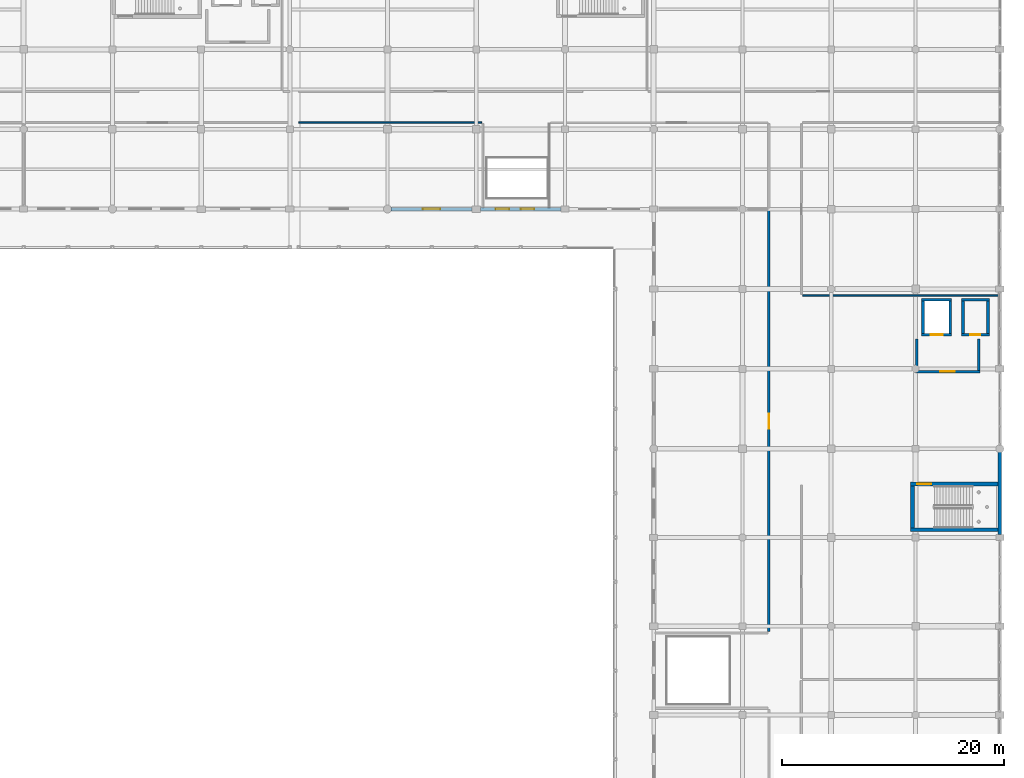
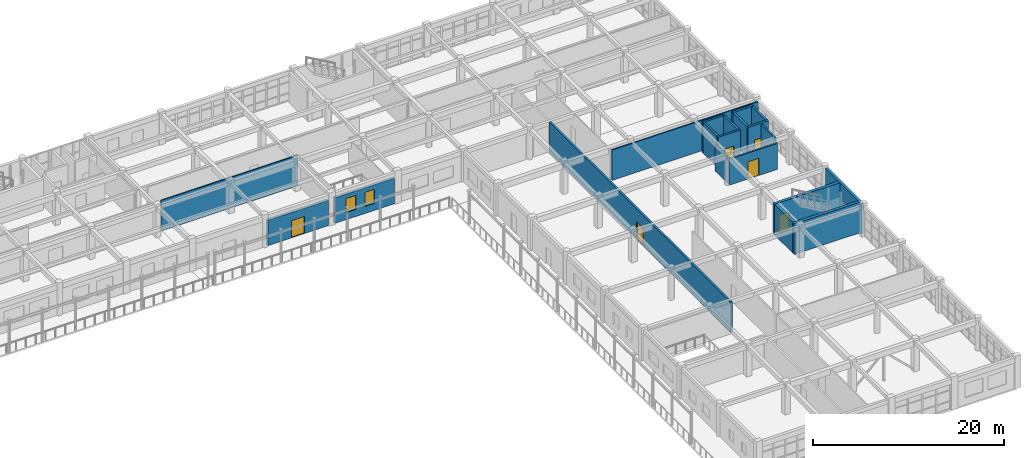
# One storey, part 174 of 195: 20 walls, 6 doors, 2 windows, 8 openings.
"""IFC4 building model written with IfcOpenShell, lengths in metres."""

from ifc_helpers import new_model, si_unit, direction, frame, frame_2d, origin, place, context, subcontext, project, spatial, rectangle, extrude, material, layer, layer_set, type_object, element, fill, save


model = new_model("IFC4")

# Units and contexts
model_context = context("Model", 3, precision=1e-05, world=origin(), true_north=direction((0.0, 1.0)))
body_context = subcontext(model_context, "Body", "Model", "MODEL_VIEW")
ifc_project = project(units=[si_unit("LENGTHUNIT", "METRE"), si_unit("AREAUNIT", "SQUARE_METRE"), si_unit("VOLUMEUNIT", "CUBIC_METRE"), si_unit("PLANEANGLEUNIT", "RADIAN"), si_unit("MASSUNIT", "GRAM", prefix="KILO")], contexts=[model_context])

# Site, building, storey
site_placement = place(None, origin())
site = spatial("IfcSite", under=ifc_project, at=site_placement, CompositionType="ELEMENT")
building_placement = place(site_placement, origin())
building = spatial("IfcBuilding", under=site, at=building_placement, Name="Kharva Crest Polytechnic", CompositionType="ELEMENT")
storey_placement = place(building_placement, frame((0.0, 0.0, 9.0)))
storey = spatial("IfcBuildingStorey", under=building, at=storey_placement, Name="L02", CompositionType="ELEMENT", Elevation=9.0)

# Wall
ifc_material_1 = material(Name="Concrete C40/50", Category="concrete")
ifc_layer_1 = layer(ifc_material_1, 0.35009765625, Name="Concrete C40/50")
ifc_layer_set_1 = layer_set([ifc_layer_1], Name="Concrete C40/50")
wall_type_1 = type_object("IfcWallType", Name="WL-CORE-CW1-350", PredefinedType="SHEAR", material=ifc_layer_set_1)
wall_1_placement = place(storey_placement, frame((175.949951171875, 71.4951171875, 0.0), z_axis=(0.0, 0.0, 1.0), x_axis=(1.0, 0.0, 0.0)))
element("IfcWall", 1, at=wall_1_placement, inside=storey, type_object=wall_type_1, Name="L02 East Crest Firefighting Core C5 South Shear Wall", PredefinedType="SHEAR", context=body_context, shape_type="SweptSolid", body=[
    extrude(rectangle(XDim=8.10009765625, YDim=0.35009765625, at=frame_2d((4.050048828125, 0.0))), origin(), (0.0, 0.0, 1.0), 3.919921875),
])

# Wall, opening, door
wall_2_placement = place(storey_placement, frame((175.949951171875, 75.60498046875, 0.0), z_axis=(0.0, 0.0, 1.0), x_axis=(1.0, 0.0, 0.0)))
wall_2 = element("IfcWall", 2, at=wall_2_placement, inside=storey, type_object=wall_type_1, Name="L02 East Crest Firefighting Core C5 North Shear Wall", PredefinedType="SHEAR", context=body_context, shape_type="SweptSolid", body=[
    extrude(rectangle(XDim=8.10009765625, YDim=0.35009765625, at=frame_2d((4.050048828125, 0.0))), origin(), (0.0, 0.0, 1.0), 3.919921875),
])
opening_1_placement = place(wall_2_placement, frame((0.60009765625, 0.0, 0.0)))
opening_1 = element("IfcOpeningElement", 3, at=opening_1_placement, cuts=wall_2, Name="Opening FD1B", PredefinedType="OPENING", context=body_context, shape_type="SweptSolid", body=[
    extrude(rectangle(XDim=1.25, YDim=2.199951171875, at=frame_2d((0.625, 1.10009765625))), frame((0.0, 0.18505859375, 0.0), z_axis=(0.0, -1.0, 0.0), x_axis=(1.0, 0.0, 0.0)), (0.0, 0.0, 1.0), 0.3701171875),
])
ifc_material_2 = material(Name="Teak timber", Category="wood")
door_type_1 = type_object("IfcDoorType", Name="DR-STAIR-1250X2200", OperationType="NOTDEFINED", PredefinedType="DOOR", material=ifc_material_2)
door_1_placement = place(opening_1_placement, origin())
door_1 = element("IfcDoor", 4, at=door_1_placement, inside=storey, type_object=door_type_1, Name="L02 ST-05 Stair Door", OperationType="SINGLE_SWING_RIGHT", OverallHeight=2.199951171875, OverallWidth=1.25, PredefinedType="DOOR", context=body_context, shape_type="SweptSolid", body=[
    extrude(rectangle(XDim=1.25, YDim=2.199951171875, at=frame_2d((0.625, 1.10009765625))), frame((0.0, 0.02490234375, 0.0), z_axis=(0.0, -1.0, 0.0), x_axis=(1.0, 0.0, 0.0)), (0.0, 0.0, 1.0), 0.050048828125),
])
fill(opening_1, door_1)

# Wall
wall_3_placement = place(storey_placement, frame((176.125, 71.669921875, 0.0), z_axis=(0.0, 0.0, 1.0), x_axis=(0.0, 1.0, 0.0)))
element("IfcWall", 5, at=wall_3_placement, inside=storey, type_object=wall_type_1, Name="L02 East Crest Firefighting Core C5 West Shear Wall", PredefinedType="SHEAR", context=body_context, shape_type="SweptSolid", body=[
    extrude(rectangle(XDim=3.760009765625, YDim=0.35009765625, at=frame_2d((1.8798828125, 0.0))), origin(), (0.0, 0.0, 1.0), 3.919921875),
])

# Wall, openings, windows
ifc_material_3 = material(Name="Kiln brick masonry", Category="masonry")
ifc_layer_2 = layer(ifc_material_3, 0.320068359375, Name="Kiln brick masonry")
ifc_layer_set_2 = layer_set([ifc_layer_2], Name="Kiln brick masonry")
wall_type_2 = type_object("IfcWallType", Name="WL-EXT-BRK-320", PredefinedType="SOLIDWALL", material=ifc_layer_set_2)
wall_4_placement = place(storey_placement, frame((137.169921875, 100.39990234375, 0.0), z_axis=(0.0, 0.0, 1.0), x_axis=(1.0, 0.0, 0.0)))
wall_4 = element("IfcWall", 6, at=wall_4_placement, inside=storey, type_object=wall_type_2, Name="L02 Exterior Brick Wall 274", PredefinedType="SOLIDWALL", context=body_context, shape_type="SweptSolid", body=[
    extrude(rectangle(XDim=7.260009765625, YDim=0.320068359375, at=frame_2d((3.6298828125, 0.0))), origin(), (0.0, 0.0, 1.0), 3.27001953125),
])
opening_2_placement = place(wall_4_placement, frame((1.383056640625, 0.0, 0.89990234375)))
opening_2 = element("IfcOpeningElement", 7, at=opening_2_placement, cuts=wall_4, Name="Opening W08", PredefinedType="OPENING", context=body_context, shape_type="SweptSolid", body=[
    extrude(rectangle(XDim=1.199951171875, YDim=1.800048828125, at=frame_2d((0.60009765625, 0.89990234375))), frame((0.0, 0.169921875, 0.0), z_axis=(0.0, -1.0, 0.0), x_axis=(1.0, 0.0, 0.0)), (0.0, 0.0, 1.0), 0.340087890625),
])
opening_3_placement = place(wall_4_placement, frame((3.64697265625, 0.0, 0.89990234375)))
opening_3 = element("IfcOpeningElement", 8, at=opening_3_placement, cuts=wall_4, Name="Opening W08", PredefinedType="OPENING", context=body_context, shape_type="SweptSolid", body=[
    extrude(rectangle(XDim=1.199951171875, YDim=1.800048828125, at=frame_2d((0.60009765625, 0.89990234375))), frame((0.0, 0.169921875, 0.0), z_axis=(0.0, -1.0, 0.0), x_axis=(1.0, 0.0, 0.0)), (0.0, 0.0, 1.0), 0.340087890625),
])
ifc_material_4 = material(Name="Anodised aluminium", Category="aluminium")
window_type = type_object("IfcWindowType", Name="WIN-ALU-1200X1800", PartitioningType="SINGLE_PANEL", PredefinedType="WINDOW", material=ifc_material_4)
window_1_placement = place(opening_2_placement, origin())
window_1 = element("IfcWindow", 9, at=window_1_placement, inside=storey, type_object=window_type, Name="L02 Exterior Window 365", OverallHeight=1.800048828125, OverallWidth=1.199951171875, PartitioningType="SINGLE_PANEL", PredefinedType="WINDOW", context=body_context, shape_type="SweptSolid", body=[
    extrude(rectangle(XDim=1.199951171875, YDim=1.800048828125, at=frame_2d((0.60009765625, 0.89990234375))), frame((0.0, 0.030029296875, 0.0), z_axis=(0.0, -1.0, 0.0), x_axis=(1.0, 0.0, 0.0)), (0.0, 0.0, 1.0), 0.06005859375),
])
fill(opening_2, window_1)
window_2_placement = place(opening_3_placement, origin())
window_2 = element("IfcWindow", 10, at=window_2_placement, inside=storey, type_object=window_type, Name="L02 Exterior Window 366", OverallHeight=1.800048828125, OverallWidth=1.199951171875, PartitioningType="SINGLE_PANEL", PredefinedType="WINDOW", context=body_context, shape_type="SweptSolid", body=[
    extrude(rectangle(XDim=1.199951171875, YDim=1.800048828125, at=frame_2d((0.60009765625, 0.89990234375))), frame((0.0, 0.030029296875, 0.0), z_axis=(0.0, -1.0, 0.0), x_axis=(1.0, 0.0, 0.0)), (0.0, 0.0, 1.0), 0.06005859375),
])
fill(opening_3, window_2)

# Wall
wall_5_placement = place(storey_placement, frame((184.0, 71.070068359375, 0.0), z_axis=(0.0, 0.0, 1.0), x_axis=(0.0, 1.0, 0.0)))
element("IfcWall", 11, at=wall_5_placement, inside=storey, type_object=wall_type_2, Name="L02 Exterior Brick Wall 286", PredefinedType="SOLIDWALL", context=body_context, shape_type="SweptSolid", body=[
    extrude(rectangle(XDim=7.427490234375, YDim=0.320068359375, at=frame_2d((3.7138671875, 0.0))), origin(), (0.0, 0.0, 1.0), 3.919921875),
])

# Wall, opening, door
ifc_layer_3 = layer(ifc_material_3, 0.3349609375, Name="Kiln brick masonry")
ifc_layer_set_3 = layer_set([ifc_layer_3], Name="Kiln brick masonry")
wall_type_3 = type_object("IfcWallType", Name="WL-EXT-BRK-335", PredefinedType="SOLIDWALL", material=ifc_layer_set_3)
wall_6_placement = place(storey_placement, frame((129.102294921875, 100.39990234375, 0.0), z_axis=(0.0, 0.0, 1.0), x_axis=(1.0, 0.0, 0.0)))
wall_6 = element("IfcWall", 12, at=wall_6_placement, inside=storey, type_object=wall_type_3, Name="L02 Exterior Brick Wall 273", PredefinedType="SOLIDWALL", context=body_context, shape_type="SweptSolid", body=[
    extrude(rectangle(XDim=7.32763671875, YDim=0.3349609375, at=frame_2d((3.663818359375, 0.0))), origin(), (0.0, 0.0, 1.0), 3.239990234375),
])
opening_4_placement = place(wall_6_placement, frame((2.888916015625, 0.0, 0.0)))
opening_4 = element("IfcOpeningElement", 13, at=opening_4_placement, cuts=wall_6, Name="Opening ED8", PredefinedType="OPENING", context=body_context, shape_type="SweptSolid", body=[
    extrude(rectangle(XDim=1.550048828125, YDim=2.199951171875, at=frame_2d((0.77490234375, 1.10009765625))), frame((0.0, 0.177490234375, 0.0), z_axis=(0.0, -1.0, 0.0), x_axis=(1.0, 0.0, 0.0)), (0.0, 0.0, 1.0), 0.35498046875),
])
door_type_2 = type_object("IfcDoorType", Name="DR-EXT-TER-1550X2200", OperationType="NOTDEFINED", PredefinedType="DOOR", material=ifc_material_4)
door_2_placement = place(opening_4_placement, frame((1.550048828125, 0.0, 0.0), z_axis=(0.0, 0.0, 1.0), x_axis=(-1.0, 0.0, 0.0)))
door_2 = element("IfcDoor", 14, at=door_2_placement, inside=storey, type_object=door_type_2, Name="L02 VER_N_L02 Access Door 49", OperationType="DOUBLE_DOOR_SINGLE_SWING", OverallHeight=2.199951171875, OverallWidth=1.550048828125, PredefinedType="DOOR", context=body_context, shape_type="SweptSolid", body=[
    extrude(rectangle(XDim=1.550048828125, YDim=2.199951171875, at=frame_2d((0.77490234375, 1.10009765625))), frame((0.0, 0.02490234375, 0.0), z_axis=(0.0, -1.0, 0.0), x_axis=(1.0, 0.0, 0.0)), (0.0, 0.0, 1.0), 0.050048828125),
])
fill(opening_4, door_2)

ifc_layer_4 = layer(ifc_material_3, 0.199951171875, Name="Kiln brick masonry")
ifc_layer_set_4 = layer_set([ifc_layer_4], Name="Kiln brick masonry")
wall_type_4 = type_object("IfcWallType", Name="WL-FIRE-FW1-200", PredefinedType="SOLIDWALL", material=ifc_layer_set_4)
wall_7_placement = place(storey_placement, frame((176.39990234375, 85.75, 0.0), z_axis=(0.0, 0.0, 1.0), x_axis=(1.0, 0.0, 0.0)))
wall_7 = element("IfcWall", 15, at=wall_7_placement, inside=storey, type_object=wall_type_4, Name="L02 Firefighting Lobby FL2 South Wall", PredefinedType="SOLIDWALL", context=body_context, shape_type="SweptSolid", body=[
    extrude(rectangle(XDim=5.800048828125, YDim=0.199951171875, at=frame_2d((2.89990234375, 0.0))), origin(), (0.0, 0.0, 1.0), 3.320068359375),
])
opening_5_placement = place(wall_7_placement, frame((2.25, 0.0, 0.0)))
opening_5 = element("IfcOpeningElement", 16, at=opening_5_placement, cuts=wall_7, Name="Opening FD2", PredefinedType="OPENING", context=body_context, shape_type="SweptSolid", body=[
    extrude(rectangle(XDim=1.300048828125, YDim=2.199951171875, at=frame_2d((0.64990234375, 1.10009765625))), frame((0.0, 0.10986328125, 0.0), z_axis=(0.0, -1.0, 0.0), x_axis=(1.0, 0.0, 0.0)), (0.0, 0.0, 1.0), 0.219970703125),
])
door_type_3 = type_object("IfcDoorType", Name="DR-FFLOB-1300X2200", OperationType="NOTDEFINED", PredefinedType="DOOR", material=ifc_material_2)
door_3_placement = place(opening_5_placement, origin())
door_3 = element("IfcDoor", 17, at=door_3_placement, inside=storey, type_object=door_type_3, Name="L02 Firefighting Lobby FL2 Smoke Door", OperationType="SINGLE_SWING_LEFT", OverallHeight=2.199951171875, OverallWidth=1.300048828125, PredefinedType="DOOR", context=body_context, shape_type="SweptSolid", body=[
    extrude(rectangle(XDim=1.300048828125, YDim=2.199951171875, at=frame_2d((0.64990234375, 1.10009765625))), frame((0.0, 0.02490234375, 0.0), z_axis=(0.0, -1.0, 0.0), x_axis=(1.0, 0.0, 0.0)), (0.0, 0.0, 1.0), 0.050048828125),
])
fill(opening_5, door_3)

# Walls
wall_8_placement = place(storey_placement, frame((176.5, 85.85009765625, 0.0), z_axis=(0.0, 0.0, 1.0), x_axis=(0.0, 1.0, 0.0)))
element("IfcWall", 18, at=wall_8_placement, inside=storey, type_object=wall_type_4, Name="L02 Firefighting Lobby FL2 West Wall", PredefinedType="SOLIDWALL", context=body_context, shape_type="SweptSolid", body=[
    extrude(rectangle(XDim=2.849853515625, YDim=0.199951171875, at=frame_2d((1.4248046875, 0.0))), origin(), (0.0, 0.0, 1.0), 3.340087890625),
])
wall_9_placement = place(storey_placement, frame((182.10009765625, 85.85009765625, 0.0), z_axis=(0.0, 0.0, 1.0), x_axis=(0.0, 1.0, 0.0)))
element("IfcWall", 19, at=wall_9_placement, inside=storey, type_object=wall_type_4, Name="L02 Firefighting Lobby FL2 East Wall", PredefinedType="SOLIDWALL", context=body_context, shape_type="SweptSolid", body=[
    extrude(rectangle(XDim=2.849853515625, YDim=0.199951171875, at=frame_2d((1.4248046875, 0.0))), origin(), (0.0, 0.0, 1.0), 3.919921875),
])
ifc_layer_5 = layer(ifc_material_3, 0.139892578125, Name="Kiln brick masonry")
ifc_layer_set_5 = layer_set([ifc_layer_5], Name="Kiln brick masonry")
wall_type_5 = type_object("IfcWallType", Name="WL-PART-140", PredefinedType="PARTITIONING", material=ifc_layer_set_5)
wall_10_placement = place(storey_placement, frame((120.800048828125, 108.18994140625, 0.0), z_axis=(0.0, 0.0, 1.0), x_axis=(1.0, 0.0, 0.0)))
element("IfcWall", 20, at=wall_10_placement, inside=storey, type_object=wall_type_5, Name="L02 Interior Partition 244 E", PredefinedType="PARTITIONING", context=body_context, shape_type="SweptSolid", body=[
    extrude(rectangle(XDim=16.489990234375, YDim=0.139892578125, at=frame_2d((8.2451171875, 0.0))), origin(), (0.0, 0.0, 1.0), 3.89990234375),
])
wall_11_placement = place(storey_placement, frame((166.219970703125, 92.60009765625, 0.0), z_axis=(0.0, 0.0, 1.0), x_axis=(1.0, 0.0, 0.0)))
element("IfcWall", 21, at=wall_11_placement, inside=storey, type_object=wall_type_5, Name="L02 Interior Partition 264", PredefinedType="PARTITIONING", context=body_context, shape_type="SweptSolid", body=[
    extrude(rectangle(XDim=17.669921875, YDim=0.139892578125, at=frame_2d((8.8349609375, 0.0))), origin(), (0.0, 0.0, 1.0), 3.89990234375),
])

# Wall, opening, door
ifc_layer_6 = layer(ifc_material_3, 0.22509765625, Name="Kiln brick masonry")
ifc_layer_set_6 = layer_set([ifc_layer_6], Name="Kiln brick masonry")
wall_type_6 = type_object("IfcWallType", Name="WL-PART-225", PredefinedType="PARTITIONING", material=ifc_layer_set_6)
wall_12_placement = place(storey_placement, frame((163.18994140625, 62.31005859375, 0.0), z_axis=(0.0, 0.0, 1.0), x_axis=(0.0, 1.0, 0.0)))
wall_12 = element("IfcWall", 22, at=wall_12_placement, inside=storey, type_object=wall_type_6, Name="L02 Interior Partition 260", PredefinedType="PARTITIONING", context=body_context, shape_type="SweptSolid", body=[
    extrude(rectangle(XDim=37.969970703125, YDim=0.22509765625, at=frame_2d((18.98486328125, 0.0))), origin(), (0.0, 0.0, 1.0), 3.89990234375),
])
opening_6_placement = place(wall_12_placement, frame((18.31005859375, 0.0, 0.0)))
opening_6 = element("IfcOpeningElement", 23, at=opening_6_placement, cuts=wall_12, Name="Opening ID6", PredefinedType="OPENING", context=body_context, shape_type="SweptSolid", body=[
    extrude(rectangle(XDim=1.35009765625, YDim=2.199951171875, at=frame_2d((0.675048828125, 1.10009765625))), frame((0.0, 0.12255859375, 0.0), z_axis=(0.0, -1.0, 0.0), x_axis=(1.0, 0.0, 0.0)), (0.0, 0.0, 1.0), 0.2451171875),
])
door_type_4 = type_object("IfcDoorType", Name="DR-LAB-1350X2200", OperationType="NOTDEFINED", PredefinedType="DOOR", material=ifc_material_2)
door_4_placement = place(opening_6_placement, origin())
door_4 = element("IfcDoor", 24, at=door_4_placement, inside=storey, type_object=door_type_4, Name="L02 Aerodynamics Wind-Tunnel Laboratory Door", OperationType="SINGLE_SWING_RIGHT", OverallHeight=2.199951171875, OverallWidth=1.35009765625, PredefinedType="DOOR", context=body_context, shape_type="SweptSolid", body=[
    extrude(rectangle(XDim=1.35009765625, YDim=2.199951171875, at=frame_2d((0.675048828125, 1.10009765625))), frame((0.0, 0.02490234375, 0.0), z_axis=(0.0, -1.0, 0.0), x_axis=(1.0, 0.0, 0.0)), (0.0, 0.0, 1.0), 0.050048828125),
])
fill(opening_6, door_4)

ifc_layer_7 = layer(ifc_material_1, 0.25, Name="Concrete C40/50")
ifc_layer_set_7 = layer_set([ifc_layer_7], Name="Concrete C40/50")
wall_type_7 = type_object("IfcWallType", Name="WL-SHEAR-SW1-250", PredefinedType="SHEAR", material=ifc_layer_set_7)
wall_13_placement = place(storey_placement, frame((176.949951171875, 89.074951171875, 0.0), z_axis=(0.0, 0.0, 1.0), x_axis=(1.0, 0.0, 0.0)))
wall_13 = element("IfcWall", 25, at=wall_13_placement, inside=storey, type_object=wall_type_7, Name="L02 Lift FL2 South Shaft Wall", PredefinedType="SHEAR", context=body_context, shape_type="SweptSolid", body=[
    extrude(rectangle(XDim=2.699951171875, YDim=0.25, at=frame_2d((1.35009765625, 0.0))), origin(), (0.0, 0.0, 1.0), 3.919921875),
])
opening_7_placement = place(wall_13_placement, frame((0.800048828125, 0.0, 0.0)))
opening_7 = element("IfcOpeningElement", 26, at=opening_7_placement, cuts=wall_13, Name="Opening LD1", PredefinedType="OPENING", context=body_context, shape_type="SweptSolid", body=[
    extrude(rectangle(XDim=1.10009765625, YDim=2.14990234375, at=frame_2d((0.550048828125, 1.074951171875))), frame((0.0, 0.135009765625, 0.0), z_axis=(0.0, -1.0, 0.0), x_axis=(1.0, 0.0, 0.0)), (0.0, 0.0, 1.0), 0.27001953125),
])
door_type_5 = type_object("IfcDoorType", Name="DR-LIFT-LD1-1100X2150", OperationType="SLIDING_TO_LEFT", PredefinedType="DOOR", material=ifc_material_4)
door_5_placement = place(opening_7_placement, origin())
door_5 = element("IfcDoor", 27, at=door_5_placement, inside=storey, type_object=door_type_5, Name="L02 Lift FL2 Sliding Landing Door", OperationType="SLIDING_TO_LEFT", OverallHeight=2.14990234375, OverallWidth=1.10009765625, PredefinedType="DOOR", context=body_context, shape_type="SweptSolid", body=[
    extrude(rectangle(XDim=1.10009765625, YDim=2.14990234375, at=frame_2d((0.550048828125, 1.074951171875))), frame((0.0, 0.02490234375, 0.0), z_axis=(0.0, -1.0, 0.0), x_axis=(1.0, 0.0, 0.0)), (0.0, 0.0, 1.0), 0.050048828125),
])
fill(opening_7, door_5)

# Walls
wall_14_placement = place(storey_placement, frame((176.949951171875, 92.22509765625, 0.0), z_axis=(0.0, 0.0, 1.0), x_axis=(1.0, 0.0, 0.0)))
element("IfcWall", 28, at=wall_14_placement, inside=storey, type_object=wall_type_7, Name="L02 Lift FL2 North Shaft Wall", PredefinedType="SHEAR", context=body_context, shape_type="SweptSolid", body=[
    extrude(rectangle(XDim=2.699951171875, YDim=0.25, at=frame_2d((1.35009765625, 0.0))), origin(), (0.0, 0.0, 1.0), 3.919921875),
])
for number, where, z_axis, x_axis, name in (
    (29, (177.074951171875, 89.199951171875, 0.0), (0.0, 0.0, 1.0), (0.0, 1.0, 0.0), "L02 Lift FL2 West Shaft Wall"),
    (30, (179.52490234375, 89.199951171875, 0.0), (0.0, 0.0, 1.0), (0.0, 1.0, 0.0), "L02 Lift FL2 East Shaft Wall"),
):
    element("IfcWall", number, at=place(storey_placement, frame(where, z_axis=z_axis, x_axis=x_axis)), inside=storey, type_object=wall_type_7, Name=name, PredefinedType="SHEAR", context=body_context, shape_type="SweptSolid", body=[
        extrude(rectangle(XDim=2.900146484375, YDim=0.25, at=frame_2d((1.4501953125, 0.0))), origin(), (0.0, 0.0, 1.0), 3.919921875),
    ])

# Wall, opening, door
wall_15_placement = place(storey_placement, frame((180.550048828125, 89.074951171875, 0.0), z_axis=(0.0, 0.0, 1.0), x_axis=(1.0, 0.0, 0.0)))
wall_15 = element("IfcWall", 31, at=wall_15_placement, inside=storey, type_object=wall_type_7, Name="L02 Core C5 Riser South Wall", PredefinedType="SHEAR", context=body_context, shape_type="SweptSolid", body=[
    extrude(rectangle(XDim=2.5, YDim=0.25, at=frame_2d((1.25, 0.0))), origin(), (0.0, 0.0, 1.0), 3.919921875),
])
opening_8_placement = place(wall_15_placement, frame((0.800048828125, 0.0, 0.0)))
opening_8 = element("IfcOpeningElement", 32, at=opening_8_placement, cuts=wall_15, Name="Opening FD3", PredefinedType="OPENING", context=body_context, shape_type="SweptSolid", body=[
    extrude(rectangle(XDim=0.89990234375, YDim=2.050048828125, at=frame_2d((0.449951171875, 1.02490234375))), frame((0.0, 0.135009765625, 0.0), z_axis=(0.0, -1.0, 0.0), x_axis=(1.0, 0.0, 0.0)), (0.0, 0.0, 1.0), 0.27001953125),
])
door_type_6 = type_object("IfcDoorType", Name="DR-RISER-900X2050", OperationType="NOTDEFINED", PredefinedType="DOOR", material=ifc_material_4)
door_6_placement = place(opening_8_placement, origin())
door_6 = element("IfcDoor", 33, at=door_6_placement, inside=storey, type_object=door_type_6, Name="L02 Core C5 Riser Access Door", OperationType="SINGLE_SWING_RIGHT", OverallHeight=2.050048828125, OverallWidth=0.89990234375, PredefinedType="DOOR", context=body_context, shape_type="SweptSolid", body=[
    extrude(rectangle(XDim=0.89990234375, YDim=2.050048828125, at=frame_2d((0.449951171875, 1.02490234375))), frame((0.0, 0.02490234375, 0.0), z_axis=(0.0, -1.0, 0.0), x_axis=(1.0, 0.0, 0.0)), (0.0, 0.0, 1.0), 0.050048828125),
])
fill(opening_8, door_6)

# Walls
wall_16_placement = place(storey_placement, frame((180.550048828125, 92.22509765625, 0.0), z_axis=(0.0, 0.0, 1.0), x_axis=(1.0, 0.0, 0.0)))
element("IfcWall", 34, at=wall_16_placement, inside=storey, type_object=wall_type_7, Name="L02 Core C5 Riser North Wall", PredefinedType="SHEAR", context=body_context, shape_type="SweptSolid", body=[
    extrude(rectangle(XDim=2.5, YDim=0.25, at=frame_2d((1.25, 0.0))), origin(), (0.0, 0.0, 1.0), 3.919921875),
])
for number, where, z_axis, x_axis, name in (
    (35, (180.675048828125, 89.199951171875, 0.0), (0.0, 0.0, 1.0), (0.0, 1.0, 0.0), "L02 Core C5 Riser West Wall"),
    (36, (182.925048828125, 89.199951171875, 0.0), (0.0, 0.0, 1.0), (0.0, 1.0, 0.0), "L02 Core C5 Riser East Wall"),
):
    element("IfcWall", number, at=place(storey_placement, frame(where, z_axis=z_axis, x_axis=x_axis)), inside=storey, type_object=wall_type_7, Name=name, PredefinedType="SHEAR", context=body_context, shape_type="SweptSolid", body=[
        extrude(rectangle(XDim=2.900146484375, YDim=0.25, at=frame_2d((1.4501953125, 0.0))), origin(), (0.0, 0.0, 1.0), 3.919921875),
    ])

save(model, "model.ifc")
